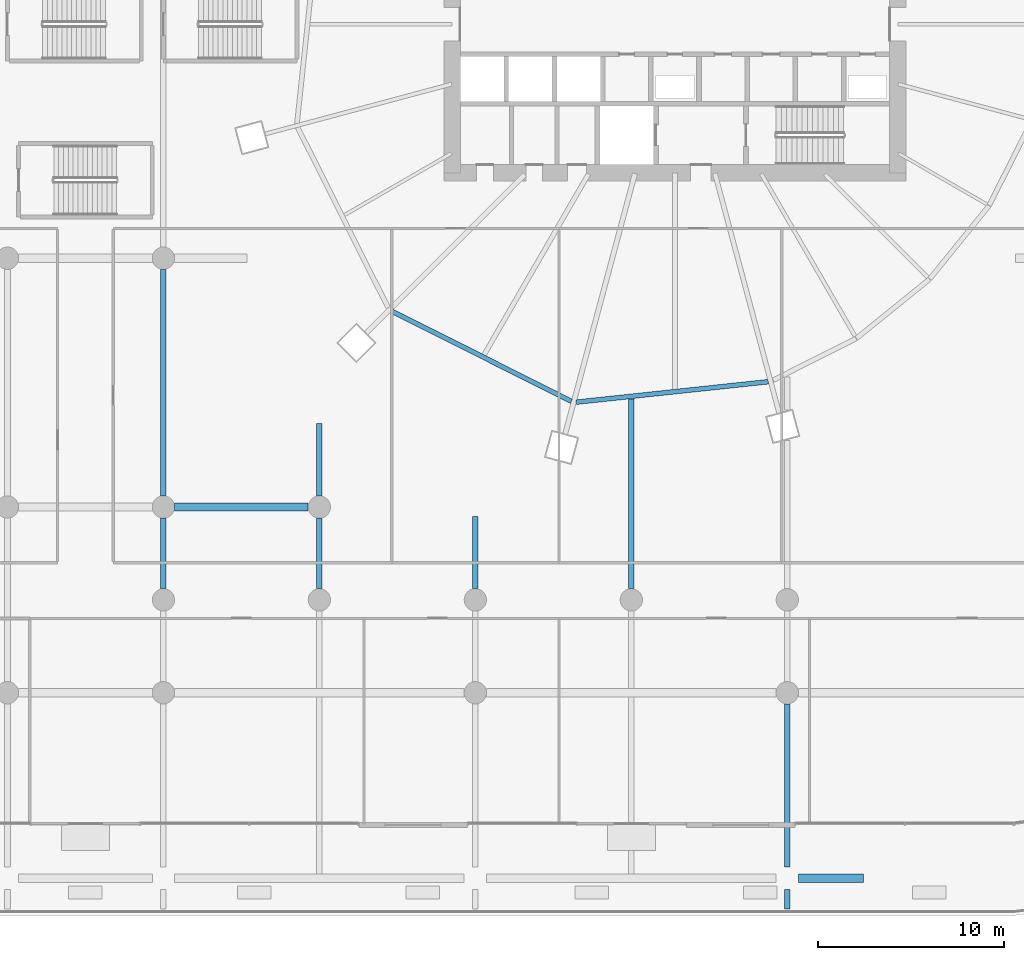
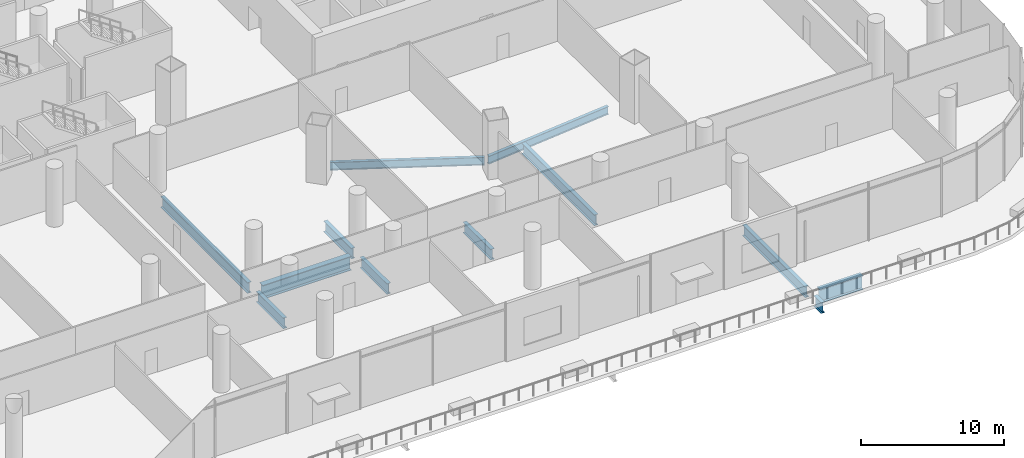
# One storey, part 15 of 51: 12 beams.
"""IFC4 building model written with IfcOpenShell, lengths in metres."""

from ifc_helpers import new_model, si_unit, direction, frame, origin, origin_2d, place, context, subcontext, project, spatial, i_section, extrude, material, material_profile, profile_set, type_object, element, save


model = new_model("IFC4")

# Units and contexts
model_context = context("Model", 3, precision=1e-05, world=origin(), true_north=direction((0.0, 1.0)))
body_context = subcontext(model_context, "Body", "Model", "MODEL_VIEW")
ifc_project = project(units=[si_unit("LENGTHUNIT", "METRE"), si_unit("AREAUNIT", "SQUARE_METRE"), si_unit("VOLUMEUNIT", "CUBIC_METRE"), si_unit("PLANEANGLEUNIT", "RADIAN"), si_unit("MASSUNIT", "GRAM", prefix="KILO")], contexts=[model_context])

# Site, building, storey
site_placement = place(None, origin())
site = spatial("IfcSite", under=ifc_project, at=site_placement, CompositionType="ELEMENT")
building_placement = place(site_placement, origin())
building = spatial("IfcBuilding", under=site, at=building_placement, Name="Rimbun Link Towers", CompositionType="ELEMENT")
storey_placement = place(building_placement, frame((0.0, 0.0, 7.0)))
storey = spatial("IfcBuildingStorey", under=building, at=storey_placement, Name="L01", CompositionType="ELEMENT", Elevation=7.0)

# Beams
ifc_material_1 = material(Name="Steel S355J2", Category="steel")
ifc_material_profile_1 = material_profile(ifc_material_1, i_section(OverallWidth=0.449951171875, OverallDepth=1.199951171875, WebThickness=0.030029296875, FlangeThickness=0.044921875, at=origin_2d()), Name="PG 1200x450x30/45")
ifc_profile_set_1 = profile_set([ifc_material_profile_1], Name="Steel S355J2")
beam_type_1 = type_object("IfcBeamType", Name="PG 1200x450x30/45", PredefinedType="BEAM", material=ifc_profile_set_1)
beam_1_placement = place(storey_placement, frame((38.39990234375, -46.0, -0.89990234375), z_axis=(1.0, 0.0, 0.0), x_axis=(0.0, 1.0, 0.0)))
element("IfcBeam", 1, at=beam_1_placement, inside=storey, type_object=beam_type_1, Name="Grid beam L01 -46.0", PredefinedType="BEAM", context=body_context, shape_type="SweptSolid", body=[
    extrude(i_section(OverallWidth=0.449951171875, OverallDepth=1.199951171875, WebThickness=0.030029296875, FlangeThickness=0.044921875, at=origin_2d()), origin(), (0.0, 0.0, 1.0), 3.5),
])
beam_2_placement = place(storey_placement, frame((4.800048828125, -26.0, -0.89990234375), z_axis=(1.0, 0.0, 0.0), x_axis=(0.0, 1.0, 0.0)))
element("IfcBeam", 2, at=beam_2_placement, inside=storey, type_object=beam_type_1, Name="Grid beam L01 -26.0", PredefinedType="BEAM", context=body_context, shape_type="SweptSolid", body=[
    extrude(i_section(OverallWidth=0.449951171875, OverallDepth=1.199951171875, WebThickness=0.030029296875, FlangeThickness=0.044921875, at=origin_2d()), origin(), (0.0, 0.0, 1.0), 7.199951171875),
])
ifc_material_2 = material(Name="Steel S355J2", Category="steel")
ifc_material_profile_2 = material_profile(ifc_material_2, i_section(OverallWidth=0.253662109375, OverallDepth=0.68359375, WebThickness=0.012451171875, FlangeThickness=0.01904296875, at=origin_2d()), Name="UB 686x254x140")
ifc_profile_set_2 = profile_set([ifc_material_profile_2], Name="Steel S355J2")
beam_type_2 = type_object("IfcBeamType", Name="UB 686x254x140", PredefinedType="BEAM", material=ifc_profile_set_2)
beam_3_placement = place(storey_placement, frame((16.484130859375, -15.446533203125, -0.641845703125), z_axis=(0.893777409404, -0.448510805264, 0.0), x_axis=(0.448510805264, 0.893777409404, 0.0)))
element("IfcBeam", 3, at=beam_3_placement, inside=storey, type_object=beam_type_2, Name="Edge beam T2 L01 12-14", PredefinedType="BEAM", context=body_context, shape_type="SweptSolid", body=[
    extrude(i_section(OverallWidth=0.253662109375, OverallDepth=0.68359375, WebThickness=0.012451171875, FlangeThickness=0.01904296875, at=origin_2d()), origin(), (0.0, 0.0, 1.0), 10.836669921875),
])
beam_4_placement = place(storey_placement, frame((26.435302734375, -20.353271484375, -0.641845703125), z_axis=(0.994376453373, 0.105903111275, 0.0), x_axis=(-0.105903111275, 0.994376453373, 0.0)))
element("IfcBeam", 4, at=beam_4_placement, inside=storey, type_object=beam_type_2, Name="Edge beam T2 L01 14-16", PredefinedType="BEAM", context=body_context, shape_type="SweptSolid", body=[
    extrude(i_section(OverallWidth=0.253662109375, OverallDepth=0.68359375, WebThickness=0.012451171875, FlangeThickness=0.01904296875, at=origin_2d()), origin(), (0.0, 0.0, 1.0), 10.3994140625),
])
ifc_material_3 = material(Name="Steel S355J2", Category="steel")
ifc_material_profile_3 = material_profile(ifc_material_3, i_section(OverallWidth=0.305419921875, OverallDepth=0.91845703125, WebThickness=0.017333984375, FlangeThickness=0.02783203125, at=origin_2d()), Name="UB 914x305x253")
ifc_profile_set_3 = profile_set([ifc_material_profile_3], Name="Steel S355J2")
beam_type_3 = type_object("IfcBeamType", Name="UB 914x305x253", PredefinedType="BEAM", material=ifc_profile_set_3)
beam_5_placement = place(storey_placement, frame((4.199951171875, -30.39990234375, -0.75927734375), z_axis=(0.0, 1.0, 0.0), x_axis=(-1.0, 0.0, 0.0)))
element("IfcBeam", 5, at=beam_5_placement, inside=storey, type_object=beam_type_3, Name="Grid beam L01 +4.2", PredefinedType="BEAM", context=body_context, shape_type="SweptSolid", body=[
    extrude(i_section(OverallWidth=0.305419921875, OverallDepth=0.91845703125, WebThickness=0.017333984375, FlangeThickness=0.02783203125, at=origin_2d()), origin(), (0.0, 0.0, 1.0), 3.7998046875),
])
beam_6_placement = place(storey_placement, frame((4.199951171875, -25.39990234375, -0.75927734375), z_axis=(0.0, 1.0, 0.0), x_axis=(-1.0, 0.0, 0.0)))
element("IfcBeam", 6, at=beam_6_placement, inside=storey, type_object=beam_type_3, Name="Grid beam L01 +4.2", PredefinedType="BEAM", context=body_context, shape_type="SweptSolid", body=[
    extrude(i_section(OverallWidth=0.305419921875, OverallDepth=0.91845703125, WebThickness=0.017333984375, FlangeThickness=0.02783203125, at=origin_2d()), origin(), (0.0, 0.0, 1.0), 12.199951171875),
])
beam_7_placement = place(storey_placement, frame((12.60009765625, -30.39990234375, -0.75927734375), z_axis=(0.0, 1.0, 0.0), x_axis=(-1.0, 0.0, 0.0)))
element("IfcBeam", 7, at=beam_7_placement, inside=storey, type_object=beam_type_3, Name="Grid beam L01 +12.6", PredefinedType="BEAM", context=body_context, shape_type="SweptSolid", body=[
    extrude(i_section(OverallWidth=0.305419921875, OverallDepth=0.91845703125, WebThickness=0.017333984375, FlangeThickness=0.02783203125, at=origin_2d()), origin(), (0.0, 0.0, 1.0), 3.7998046875),
])
for number, where, z_axis, x_axis, name in (
    (8, (12.60009765625, -25.39990234375, -0.75927734375), (0.0, 1.0, 0.0), (-1.0, 0.0, 0.0), "Grid beam L01 +12.6"),
    (9, (21.0, -30.39990234375, -0.75927734375), (0.0, 1.0, 0.0), (-1.0, 0.0, 0.0), "Grid beam L01 +21.0"),
):
    element("IfcBeam", number, at=place(storey_placement, frame(where, z_axis=z_axis, x_axis=x_axis)), inside=storey, type_object=beam_type_3, Name=name, PredefinedType="BEAM", context=body_context, shape_type="SweptSolid", body=[
        extrude(i_section(OverallWidth=0.305419921875, OverallDepth=0.91845703125, WebThickness=0.017333984375, FlangeThickness=0.02783203125, at=origin_2d()), origin(), (0.0, 0.0, 1.0), 3.89990234375),
    ])
beam_8_placement = place(storey_placement, frame((29.39990234375, -30.39990234375, -0.75927734375), z_axis=(0.0, 1.0, 0.0), x_axis=(-1.0, 0.0, 0.0)))
element("IfcBeam", 10, at=beam_8_placement, inside=storey, type_object=beam_type_3, Name="Grid beam L01 +29.4", PredefinedType="BEAM", context=body_context, shape_type="SweptSolid", body=[
    extrude(i_section(OverallWidth=0.305419921875, OverallDepth=0.91845703125, WebThickness=0.017333984375, FlangeThickness=0.02783203125, at=origin_2d()), origin(), (0.0, 0.0, 1.0), 10.217529296875),
])
beam_9_placement = place(storey_placement, frame((37.800048828125, -47.649169921875, -0.75927734375), z_axis=(0.0, 1.0, 0.0), x_axis=(-1.0, 0.0, 0.0)))
element("IfcBeam", 11, at=beam_9_placement, inside=storey, type_object=beam_type_3, Name="Grid beam L01 +37.8", PredefinedType="BEAM", context=body_context, shape_type="SweptSolid", body=[
    extrude(i_section(OverallWidth=0.305419921875, OverallDepth=0.91845703125, WebThickness=0.017333984375, FlangeThickness=0.02783203125, at=origin_2d()), origin(), (0.0, 0.0, 1.0), 1.049072265625),
])
beam_10_placement = place(storey_placement, frame((37.800048828125, -45.39990234375, -0.75927734375), z_axis=(0.0, 1.0, 0.0), x_axis=(-1.0, 0.0, 0.0)))
element("IfcBeam", 12, at=beam_10_placement, inside=storey, type_object=beam_type_3, Name="Grid beam L01 +37.8", PredefinedType="BEAM", context=body_context, shape_type="SweptSolid", body=[
    extrude(i_section(OverallWidth=0.305419921875, OverallDepth=0.91845703125, WebThickness=0.017333984375, FlangeThickness=0.02783203125, at=origin_2d()), origin(), (0.0, 0.0, 1.0), 8.7998046875),
])

save(model, "model.ifc")
